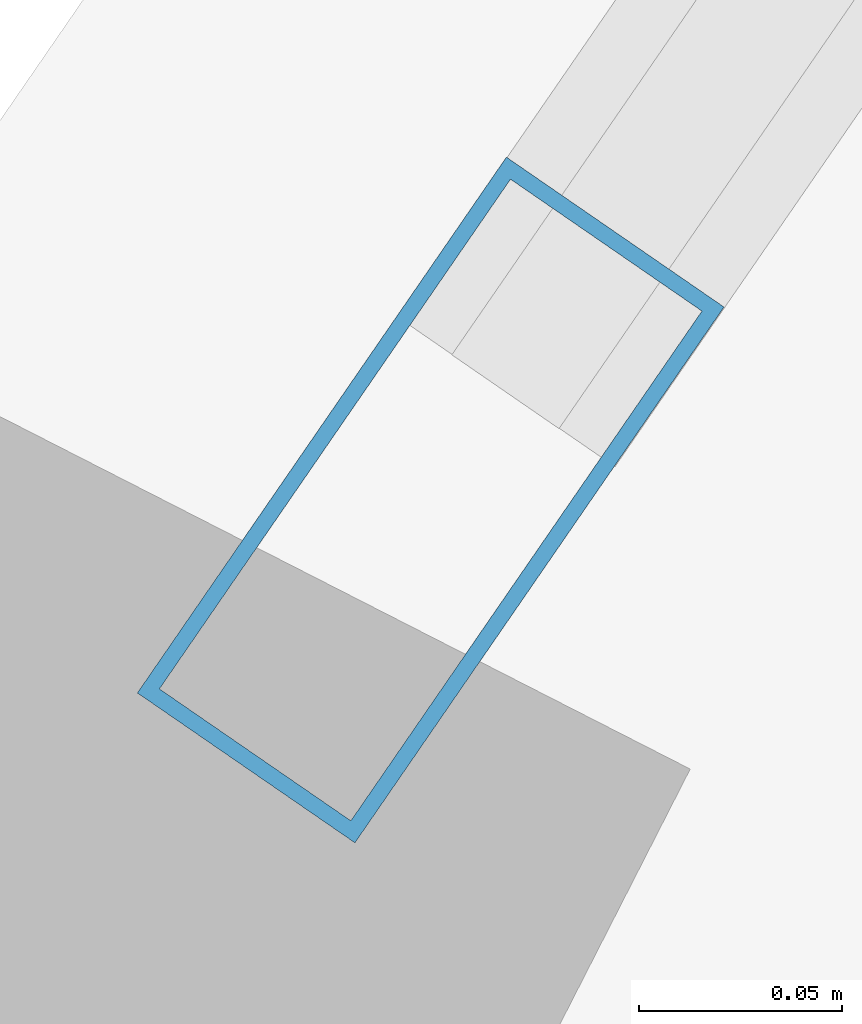
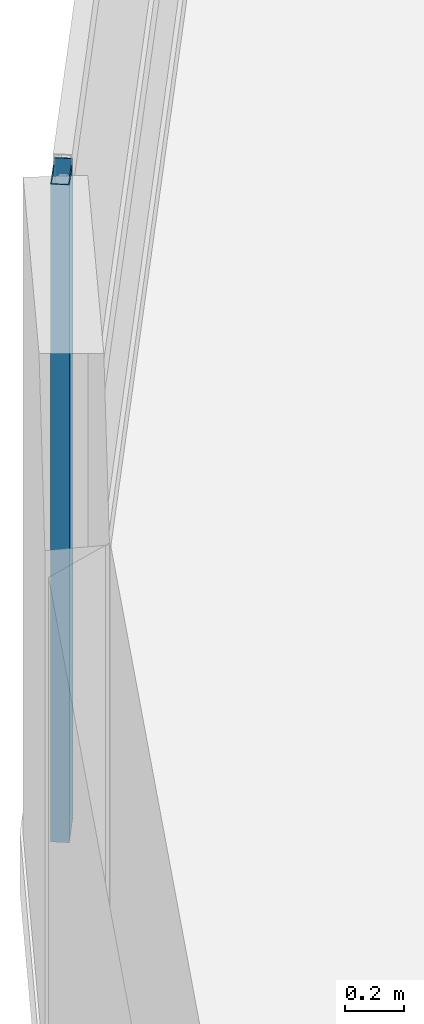
# One storey, part 2 of 25: 1 member, 1 element without a shape of its own.
"""IFC4 building model written with IfcOpenShell, lengths in metres."""

from ifc_helpers import new_model, si_unit, direction, frame, origin, origin_2d, place, context, subcontext, project, spatial, hollow_rectangle, extrude, material, layer, layer_set, material_profile, profile_set, type_object, element, aggregate, save


model = new_model("IFC4")

# Units and contexts
model_context = context("Model", 3, precision=1e-05, world=origin(), true_north=direction((0.0, 1.0)))
body_context = subcontext(model_context, "Body", "Model", "MODEL_VIEW")
ifc_project = project(units=[si_unit("LENGTHUNIT", "METRE"), si_unit("AREAUNIT", "SQUARE_METRE"), si_unit("VOLUMEUNIT", "CUBIC_METRE"), si_unit("PLANEANGLEUNIT", "RADIAN"), si_unit("MASSUNIT", "GRAM", prefix="KILO")], contexts=[model_context])

# Site, building, storey
site_placement = place(None, origin())
site = spatial("IfcSite", under=ifc_project, at=site_placement, CompositionType="ELEMENT")
building_placement = place(site_placement, origin())
building = spatial("IfcBuilding", under=site, at=building_placement, Name="Varnelok Gate Tower", CompositionType="ELEMENT")
storey_placement = place(building_placement, frame((0.0, 0.0, 34.39990234375)))
storey = spatial("IfcBuildingStorey", under=building, at=storey_placement, Name="L07", CompositionType="ELEMENT", Elevation=34.39990234375)

# Curtain wall, member
ifc_material = material(Name="Anodized Aluminum Alloy 6063-T6", Category="aluminium")
ifc_layer = layer(ifc_material, 0.179931640625)
ifc_layer_set = layer_set([ifc_layer], Name="Anodized Aluminum Alloy 6063-T6")
curtain_wall_type = type_object("IfcCurtainWallType", Name="CW3-HOTEL-VISION", PredefinedType="USERDEFINED", material=ifc_layer_set)
curtain_wall_placement = place(storey_placement, origin())
curtain_wall = element("IfcCurtainWall", 1, at=curtain_wall_placement, inside=storey, type_object=curtain_wall_type, Name="L07 West End Vision Curtain Wall", ObjectType="UNITISED CURTAIN WALL", PredefinedType="USERDEFINED")
ifc_material_profile = material_profile(ifc_material, hollow_rectangle(XDim=0.06494140625, YDim=0.159912109375, WallThickness=0.00390625, at=origin_2d()), Name="ALU160X65X4")
ifc_profile_set = profile_set([ifc_material_profile], Name="Anodized Aluminum Alloy 6063-T6")
member_type = type_object("IfcMemberType", Name="CW-MULL-160", PredefinedType="MULLION", material=ifc_profile_set)
member_placement = place(storey_placement, frame((-4.1240234375, 31.2607421875, 0.0), z_axis=(0.0, 0.0, 1.0), x_axis=(-0.823532685111, 0.567268822124, 0.0)))
member = element("IfcMember", 2, at=member_placement, type_object=member_type, Name="CW3 mullion 1", PredefinedType="MULLION", context=body_context, shape_type="SweptSolid", body=[
    extrude(hollow_rectangle(XDim=0.06494140625, YDim=0.159912109375, WallThickness=0.00390625, at=origin_2d()), origin(), (0.0, 0.0, 1.0), 2.72998046875),
])
aggregate(curtain_wall, [member])

save(model, "model.ifc")
